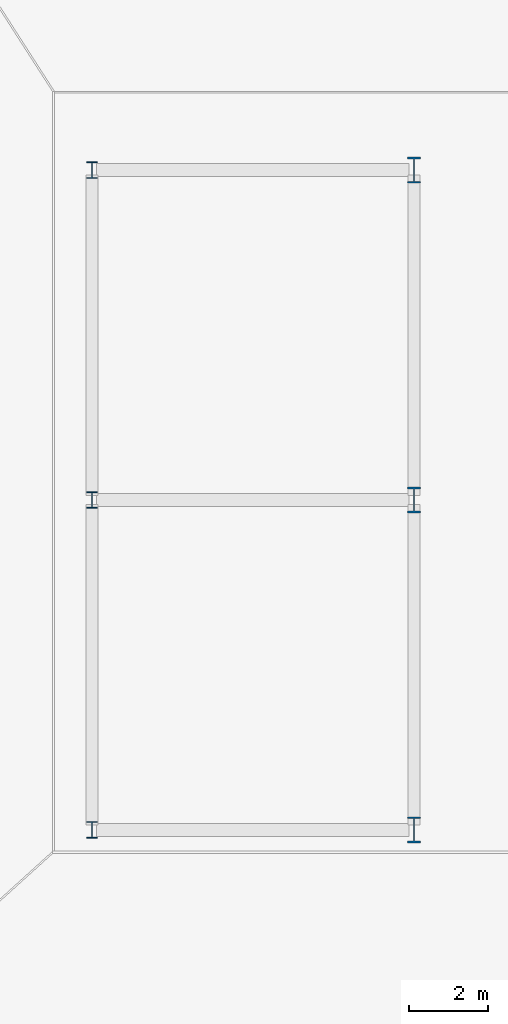
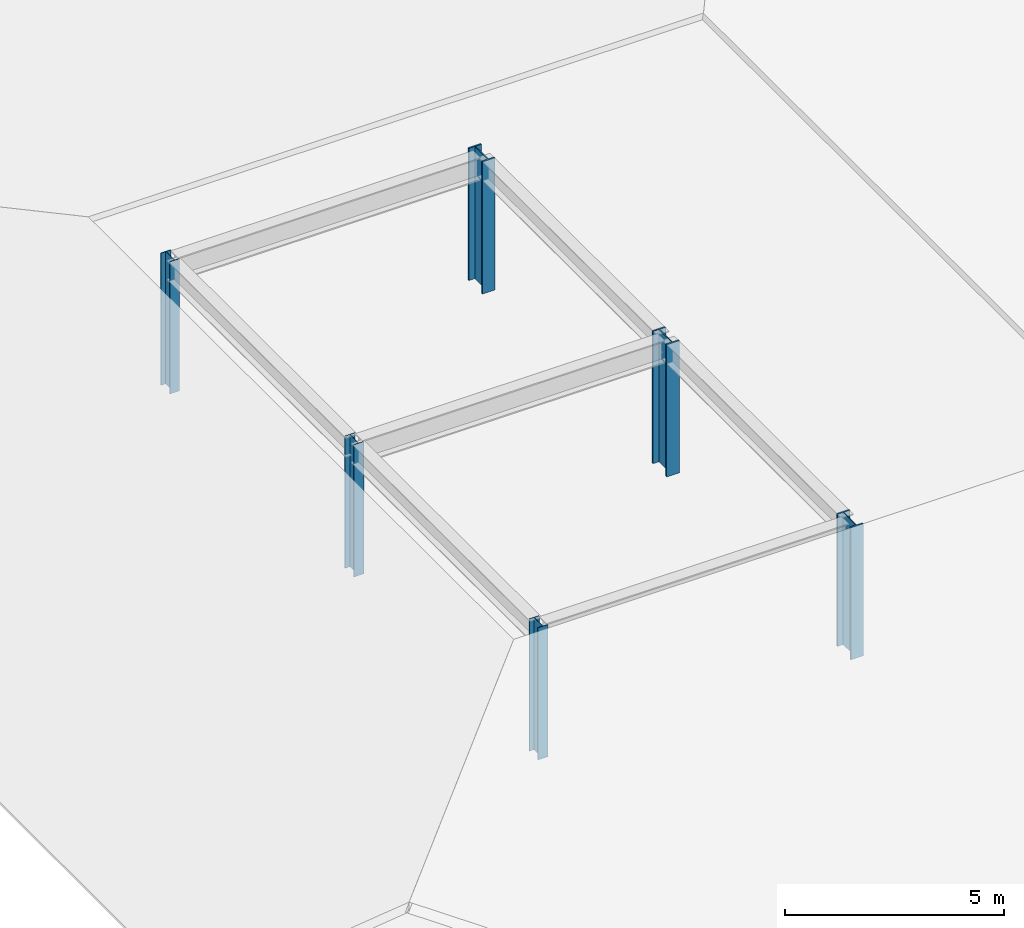
# One storey, part 2 of 46: 6 columns.
"""IFC4 building model written with IfcOpenShell, lengths in metres."""

from ifc_helpers import new_model, si_unit, direction, frame, origin, origin_2d, place, context, subcontext, project, spatial, i_section, extrude, material, material_profile, profile_set, type_object, element, save


model = new_model("IFC4")

# Units and contexts
model_context = context("Model", 3, precision=1e-05, world=origin(), true_north=direction((0.0, 1.0)))
body_context = subcontext(model_context, "Body", "Model", "MODEL_VIEW")
ifc_project = project(units=[si_unit("LENGTHUNIT", "METRE"), si_unit("AREAUNIT", "SQUARE_METRE"), si_unit("VOLUMEUNIT", "CUBIC_METRE"), si_unit("PLANEANGLEUNIT", "RADIAN"), si_unit("MASSUNIT", "GRAM", prefix="KILO")], contexts=[model_context])

# Site, building, storey
site_placement = place(None, origin())
site = spatial("IfcSite", under=ifc_project, at=site_placement, CompositionType="ELEMENT")
building_placement = place(site_placement, origin())
building = spatial("IfcBuilding", under=site, at=building_placement, Name="Sollismere Congress Hotel", CompositionType="ELEMENT")
storey_placement = place(building_placement, frame((0.0, 0.0, 19.5)))
storey = spatial("IfcBuildingStorey", under=building, at=storey_placement, Name="L04", CompositionType="ELEMENT", Elevation=19.5)

# Columns
ifc_material = material(Name="Steel ASTM A992 Grade 50", Category="steel")
ifc_material_profile_1 = material_profile(ifc_material, i_section(OverallWidth=0.261962890625, OverallDepth=0.4189453125, WebThickness=0.01171875, FlangeThickness=0.019287109375, at=origin_2d()), Name="W16X77")
ifc_profile_set_1 = profile_set([ifc_material_profile_1], Name="Steel ASTM A992 Grade 50")
column_type_1 = type_object("IfcColumnType", Name="COL-W16", PredefinedType="COLUMN", material=ifc_profile_set_1)
for number, where, z_axis, x_axis, name in (
    (1, (9.800048828125, 33.199951171875, 0.0), (0.0, 0.0, 1.0), (1.0, 0.0, 0.0), "Column CL-L04-052"),
    (2, (9.800048828125, 41.60009765625, 0.0), (0.0, 0.0, 1.0), (1.0, 0.0, 0.0), "Column CL-L04-058"),
    (3, (9.800048828125, 50.0, 0.0), (0.0, 0.0, 1.0), (1.0, 0.0, 0.0), "Column CL-L04-064"),
):
    element("IfcColumn", number, at=place(storey_placement, frame(where, z_axis=z_axis, x_axis=x_axis)), inside=storey, type_object=column_type_1, Name=name, PredefinedType="COLUMN", context=body_context, shape_type="SweptSolid", body=[
        extrude(i_section(OverallWidth=0.261962890625, OverallDepth=0.4189453125, WebThickness=0.01171875, FlangeThickness=0.019287109375, at=origin_2d()), origin(), (0.0, 0.0, 1.0), 3.679931640625),
    ])
ifc_material_profile_2 = material_profile(ifc_material, i_section(OverallWidth=0.3330078125, OverallDepth=0.659912109375, WebThickness=0.0244140625, FlangeThickness=0.0439453125, at=origin_2d()), Name="W24X229")
ifc_profile_set_2 = profile_set([ifc_material_profile_2], Name="Steel ASTM A992 Grade 50")
column_type_2 = type_object("IfcColumnType", Name="COL-W24", PredefinedType="COLUMN", material=ifc_profile_set_2)
for number, where, z_axis, x_axis, name in (
    (4, (18.0, 33.199951171875, 0.0), (0.0, 0.0, 1.0), (1.0, 0.0, 0.0), "Column CL-L04-083"),
    (5, (18.0, 41.60009765625, 0.0), (0.0, 0.0, 1.0), (1.0, 0.0, 0.0), "Column CL-L04-089"),
    (6, (18.0, 50.0, 0.0), (0.0, 0.0, 1.0), (1.0, 0.0, 0.0), "Column CL-L04-095"),
):
    element("IfcColumn", number, at=place(storey_placement, frame(where, z_axis=z_axis, x_axis=x_axis)), inside=storey, type_object=column_type_2, Name=name, PredefinedType="COLUMN", context=body_context, shape_type="SweptSolid", body=[
        extrude(i_section(OverallWidth=0.3330078125, OverallDepth=0.659912109375, WebThickness=0.0244140625, FlangeThickness=0.0439453125, at=origin_2d()), origin(), (0.0, 0.0, 1.0), 3.679931640625),
    ])

save(model, "model.ifc")
